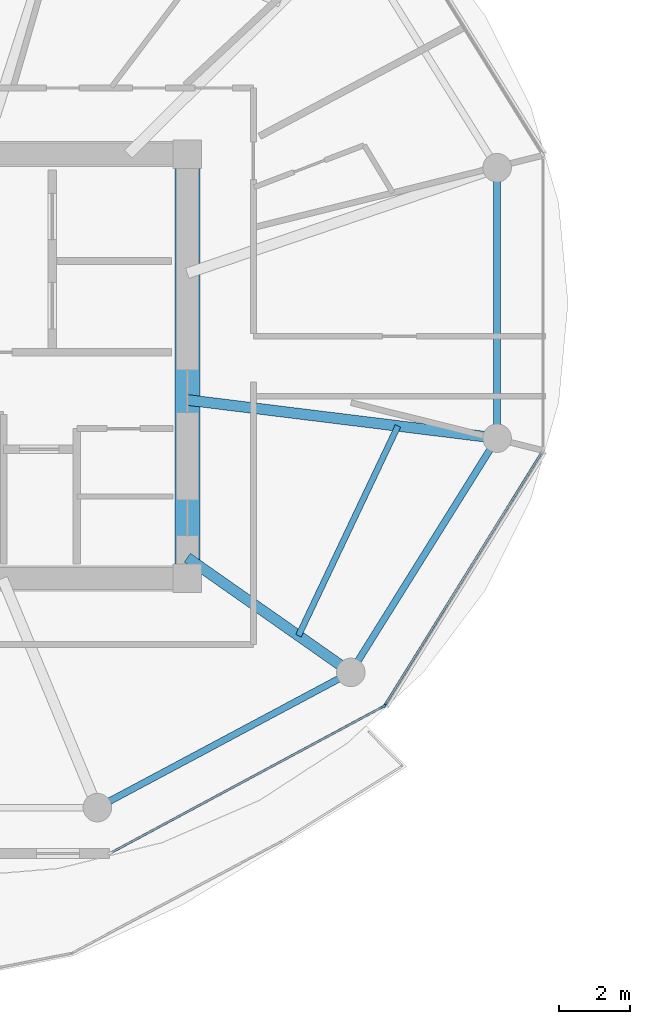
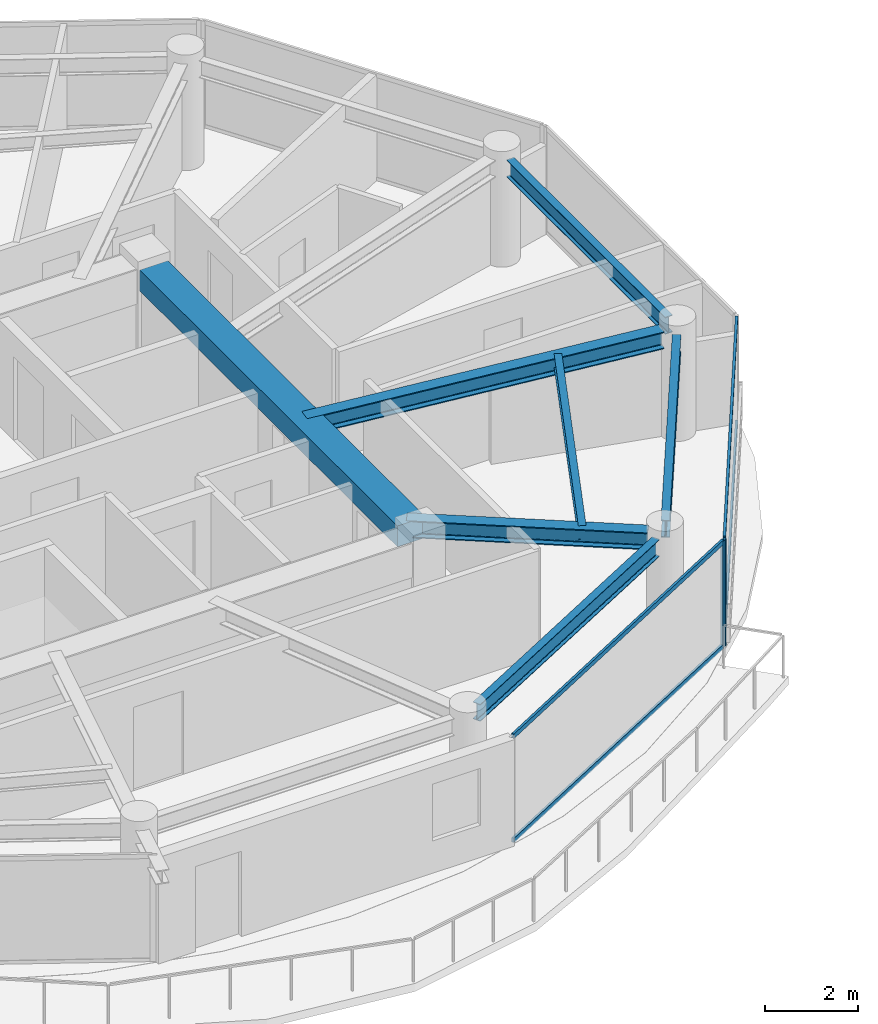
# One storey, part 3 of 22: 7 beams, 6 members, 2 elements without a shape of their own.
"""IFC4 building model written with IfcOpenShell, lengths in metres."""

import ifcopenshell
import ifcopenshell.guid

model = None  # the IFC model being written
_history = None  # IfcOwnerHistory: only IFC2X3 demands one
_inside = {}  # id of a spatial element -> (the spatial element, [elements in it])
_under = {}  # id of a project, library or spatial element -> (it, [spatial elements below it])
_declared = {}  # id of a project -> (the project, [libraries it declares])
_typed = {}  # id of a type object -> (the type object, [elements of that type])
_made_of = {}  # id of a material, layer set ... -> (it, [elements and type objects made of it])


def new_model(schema):
    """Start an empty IFC model of exactly this schema.

    Asked for "IFC4X3", IfcOpenShell would pick the latest addendum, in which some entities
    have other attributes; the version numbers below select the first issue.
    IFC2X3 requires an IfcOwnerHistory on every rooted entity: one is made here for all.
    """
    global model, _history
    if schema == "IFC4X3":
        model = ifcopenshell.file(schema_version=(4, 3, 0, 0))
    else:
        model = ifcopenshell.file(schema=schema)
    _inside.clear()
    _under.clear()
    _declared.clear()
    _typed.clear()
    _made_of.clear()
    _history = None
    if model.schema == "IFC2X3":
        org = make("IfcOrganization", Name="unknown")
        user = make(
            "IfcPersonAndOrganization",
            ThePerson=make("IfcPerson", FamilyName="unknown"),
            TheOrganization=org,
        )
        app = make(
            "IfcApplication",
            ApplicationDeveloper=org,
            Version="unknown",
            ApplicationFullName="unknown",
            ApplicationIdentifier="unknown",
        )
        _history = make(
            "IfcOwnerHistory",
            OwningUser=user,
            OwningApplication=app,
            ChangeAction="ADDED",
            CreationDate=0,
        )
    return model


def make(cls, **values):
    """One entity of the class cls with the attributes given. An attribute that is None is left unset."""
    return model.create_entity(
        cls, **{name: value for name, value in values.items() if value is not None}
    )


def rooted(cls, **values):
    """An entity with a GlobalId (a new one), such as an element, a storey or a relation."""
    return make(cls, GlobalId=ifcopenshell.guid.new(), OwnerHistory=_history, **values)


def si_unit(unit_type, name, prefix=None):
    """IfcSIUnit, for example si_unit("LENGTHUNIT", "METRE", prefix="MILLI")."""
    return make("IfcSIUnit", UnitType=unit_type, Prefix=prefix, Name=name)


def assignment(units):
    """IfcUnitAssignment: the units of a project."""
    return None if units is None else make("IfcUnitAssignment", Units=units)


def point(xyz):
    """IfcCartesianPoint."""
    return None if xyz is None else make("IfcCartesianPoint", Coordinates=xyz)


def direction(xyz):
    """IfcDirection."""
    return None if xyz is None else make("IfcDirection", DirectionRatios=xyz)


def frame(location, z_axis=None, x_axis=None):
    """IfcAxis2Placement3D, a coordinate frame: its origin and axes. An axis left out is left unset."""
    return make(
        "IfcAxis2Placement3D",
        Location=point(location),
        Axis=direction(z_axis),
        RefDirection=direction(x_axis),
    )


def frame_2d(location, x_axis=None):
    """IfcAxis2Placement2D, a coordinate frame in the plane: its origin and x axis."""
    return make(
        "IfcAxis2Placement2D", Location=point(location), RefDirection=direction(x_axis)
    )


def origin():
    """The frame at (0, 0, 0) with its axes left unset."""
    return frame((0.0, 0.0, 0.0))


def origin_2d():
    """The frame at (0, 0) in the plane with its x axis left unset."""
    return frame_2d((0.0, 0.0))


def place(relative_to, where):
    """IfcLocalPlacement: puts the frame where relative to a parent placement (None: the world)."""
    return make(
        "IfcLocalPlacement", PlacementRelTo=relative_to, RelativePlacement=where
    )


def context(
    kind, dimensions, precision=None, world=None, true_north=None, identifier=None
):
    """IfcGeometricRepresentationContext, for example the 3D "Model" context."""
    return make(
        "IfcGeometricRepresentationContext",
        ContextIdentifier=identifier,
        ContextType=kind,
        CoordinateSpaceDimension=dimensions,
        Precision=precision,
        WorldCoordinateSystem=world,
        TrueNorth=true_north,
    )


def subcontext(parent, identifier, kind, view, scale=None):
    """IfcGeometricRepresentationSubContext, for example "Body" below "Model"."""
    return make(
        "IfcGeometricRepresentationSubContext",
        ContextIdentifier=identifier,
        ContextType=kind,
        ParentContext=parent,
        TargetScale=scale,
        TargetView=view,
    )


def project(units=None, contexts=None):
    """IfcProject with its units and contexts."""
    return rooted(
        "IfcProject",
        Name="project",
        RepresentationContexts=contexts,
        UnitsInContext=assignment(units),
    )


def spatial(cls, under=None, at=None, **own):
    """A site, building, storey or space (cls), placed at a placement, below another one or the project."""
    s = rooted(cls, ObjectPlacement=at, **own)
    if under is not None:
        _under.setdefault(under.id(), (under, []))[1].append(s)
    return s


def profile(cls, at=None, kind="AREA", **sizes):
    """A parametric profile (cls). Its sizes go by their IFC names, for example OverallWidth=200.0."""
    return make(cls, ProfileType=kind, Position=at, **sizes)


def rectangle(**sizes):
    """IfcRectangleProfileDef."""
    return profile("IfcRectangleProfileDef", **sizes)


def i_section(**sizes):
    """IfcIShapeProfileDef."""
    return profile("IfcIShapeProfileDef", **sizes)


def extrude(swept, where, along, depth):
    """IfcExtrudedAreaSolid: the profile swept, set in the frame where, extruded along a direction by depth."""
    return make(
        "IfcExtrudedAreaSolid",
        SweptArea=swept,
        Position=where,
        ExtrudedDirection=direction(along),
        Depth=depth,
    )


def shape(context_of_items, identifier, shape_type, items):
    """IfcShapeRepresentation: the items that make up one representation, for example the "Body"."""
    return make(
        "IfcShapeRepresentation",
        ContextOfItems=context_of_items,
        RepresentationIdentifier=identifier,
        RepresentationType=shape_type,
        Items=items,
    )


def source(mapping_origin, context_of_items, identifier, shape_type, items):
    """IfcRepresentationMap: a shape defined once, which mapped items show again and again."""
    return make(
        "IfcRepresentationMap",
        MappingOrigin=mapping_origin,
        MappedRepresentation=shape(context_of_items, identifier, shape_type, items),
    )


def transform(
    local_origin,
    x_axis=None,
    y_axis=None,
    z_axis=None,
    scale=None,
    scale2=None,
    scale3=None,
    uniform=True,
):
    """IfcCartesianTransformationOperator3D, or its non-uniform kind. x_axis, y_axis, z_axis: its Axis1, 2, 3."""
    if uniform:
        return make(
            "IfcCartesianTransformationOperator3D",
            Axis1=direction(x_axis),
            Axis2=direction(y_axis),
            LocalOrigin=point(local_origin),
            Scale=scale,
            Axis3=direction(z_axis),
        )
    return make(
        "IfcCartesianTransformationOperator3DnonUniform",
        Axis1=direction(x_axis),
        Axis2=direction(y_axis),
        LocalOrigin=point(local_origin),
        Scale=scale,
        Axis3=direction(z_axis),
        Scale2=scale2,
        Scale3=scale3,
    )


def mapped(mapping_source, mapping_target):
    """IfcMappedItem: shows the shape of a source again, moved by a transform."""
    return make(
        "IfcMappedItem", MappingSource=mapping_source, MappingTarget=mapping_target
    )


def material(Name=None, Category=None):
    """IfcMaterial."""
    return make("IfcMaterial", Name=Name, Category=Category)


def layer(
    of_material, thickness, ventilated=None, Name=None, Category=None, Priority=None
):
    """IfcMaterialLayer: one layer of a wall or slab, of a material (None: an air gap)."""
    return make(
        "IfcMaterialLayer",
        Material=of_material,
        LayerThickness=thickness,
        IsVentilated=ventilated,
        Name=Name,
        Category=Category,
        Priority=Priority,
    )


def layer_set(layers, Name=None):
    """IfcMaterialLayerSet."""
    return make("IfcMaterialLayerSet", MaterialLayers=layers, LayerSetName=Name)


def material_profile(
    of_material, cross_section, Name=None, Category=None, Priority=None
):
    """IfcMaterialProfile: a cross section and its material."""
    return make(
        "IfcMaterialProfile",
        Name=Name,
        Material=of_material,
        Profile=cross_section,
        Priority=Priority,
        Category=Category,
    )


def profile_set(profiles, Name=None, composite=None):
    """IfcMaterialProfileSet."""
    return make(
        "IfcMaterialProfileSet",
        Name=Name,
        MaterialProfiles=profiles,
        CompositeProfile=composite,
    )


def made_of(thing, what):
    """Note that an element or type object is made of a material, layer set ...; save() writes the relation."""
    if what is not None:
        _made_of.setdefault(what.id(), (what, []))[1].append(thing)
    return thing


def type_object(cls, material=None, **own):
    """A type object (cls), such as IfcWallType, which elements share."""
    return made_of(rooted(cls, **own), material)


def type_shapes(of_type, sources):
    """Give a type object the sources (RepresentationMaps) that its elements show as mapped items."""
    of_type.RepresentationMaps = sources


def element(
    cls,
    number,
    at=None,
    inside=None,
    cuts=None,
    type_object=None,
    material=None,
    context=None,
    identifier="Body",
    shape_type=None,
    held_by="IfcProductDefinitionShape",
    body=None,
    shapes=None,
    **own,
):
    """One element of the class cls, such as IfcWall. Its Tag is "e" and its number.

    at: its placement. inside: the storey or other place that contains it. cuts: it is an
    opening in that element (IfcRelVoidsElement). A single representation is given by context,
    identifier, shape_type and body (its items); several are given by shapes. held_by: the class
    of the entity that holds the representations. save() writes the other relations.
    """
    e = rooted(cls, Tag="e%d" % number, ObjectPlacement=at, **own)
    if body is not None:
        shapes = [shape(context, identifier, shape_type, body)]
    if shapes is not None:
        e.Representation = make(held_by, Representations=shapes)
    if inside is not None:
        _inside.setdefault(inside.id(), (inside, []))[1].append(e)
    if cuts is not None:
        rooted(
            "IfcRelVoidsElement", RelatingBuildingElement=cuts, RelatedOpeningElement=e
        )
    if type_object is not None:
        _typed.setdefault(type_object.id(), (type_object, []))[1].append(e)
    return made_of(e, material)


def aggregate(whole, parts):
    """IfcRelAggregates: a whole, such as a stair, and the parts it consists of."""
    return rooted("IfcRelAggregates", RelatingObject=whole, RelatedObjects=parts)


def save(model, path):
    """Write the relations noted so far, then the file.

    IfcRelAggregates (storeys below a building ...), IfcRelContainedInSpatialStructure (elements
    in a storey), IfcRelDefinesByType, IfcRelAssociatesMaterial and IfcRelDeclares: one each for
    every whole, place, type object, material and project.
    """
    for whole, parts in _under.values():
        aggregate(whole, parts)
    for where, things in _inside.values():
        rooted(
            "IfcRelContainedInSpatialStructure",
            RelatedElements=things,
            RelatingStructure=where,
        )
    for kind, things in _typed.values():
        rooted("IfcRelDefinesByType", RelatedObjects=things, RelatingType=kind)
    for what, things in _made_of.values():
        rooted("IfcRelAssociatesMaterial", RelatedObjects=things, RelatingMaterial=what)
    for by, libraries in _declared.values():
        rooted("IfcRelDeclares", RelatingContext=by, RelatedDefinitions=libraries)
    model.write(path)


model = new_model("IFC4")

# Units and contexts
model_context = context("Model", 3, precision=1e-05, world=origin(), true_north=direction((0.0, 1.0)))
body_context = subcontext(model_context, "Body", "Model", "MODEL_VIEW")
ifc_project = project(units=[si_unit("LENGTHUNIT", "METRE"), si_unit("AREAUNIT", "SQUARE_METRE"), si_unit("VOLUMEUNIT", "CUBIC_METRE"), si_unit("PLANEANGLEUNIT", "RADIAN"), si_unit("MASSUNIT", "GRAM", prefix="KILO")], contexts=[model_context])

# Site, building, storey
site_placement = place(None, origin())
site = spatial("IfcSite", under=ifc_project, at=site_placement, CompositionType="ELEMENT")
building_placement = place(site_placement, origin())
building = spatial("IfcBuilding", under=site, at=building_placement, Name="Norrkilde Senior Care Towers", CompositionType="ELEMENT")
storey_placement = place(building_placement, frame((0.0, 0.0, 167.85009765625)))
storey = spatial("IfcBuildingStorey", under=building, at=storey_placement, Name="L52", CompositionType="ELEMENT", Elevation=167.85009765625)

# Beams
ifc_material_1 = material(Name="Concrete C60/75", Category="concrete")
ifc_material_profile_1 = material_profile(ifc_material_1, rectangle(XDim=0.699951171875, YDim=0.550048828125, at=origin_2d()), Name="RC BM 700x550")
ifc_profile_set_1 = profile_set([ifc_material_profile_1], Name="Concrete C60/75")
beam_type_1 = type_object("IfcBeamType", Name="Core Portal Coupling Beam 700x550", PredefinedType="USERDEFINED", material=ifc_profile_set_1)
shared_shape_1 = source(origin(), body_context, "Body", "SweptSolid", [
    extrude(rectangle(XDim=0.699951171875, YDim=0.550048828125, at=origin_2d()), origin(), (0.0, 0.0, 1.0), 11.14013671875),
])
type_shapes(beam_type_1, [shared_shape_1])
beam_1_placement = place(storey_placement, frame((-20.35009765625, -5.570068359375, 2.534912109375), z_axis=(0.0, 1.0, 0.0), x_axis=(-1.0, 0.0, 0.0)))
element("IfcBeam", 1, at=beam_1_placement, inside=storey, type_object=beam_type_1, Name="L52 Core W E Coupling Girder", ObjectType="GIRDER", PredefinedType="USERDEFINED", context=body_context, shape_type="MappedRepresentation", body=[
    mapped(shared_shape_1, transform((0.0, 0.0, 0.0), x_axis=(1.0, 0.0, 0.0), y_axis=(0.0, 1.0, 0.0), z_axis=(0.0, 0.0, 1.0), scale=1.0)),
])
ifc_material_2 = material(Name="Steel S355", Category="steel")
ifc_material_profile_2 = material_profile(ifc_material_2, i_section(OverallWidth=0.18994140625, OverallDepth=0.449951171875, WebThickness=0.009521484375, FlangeThickness=0.0146484375, FilletRadius=0.02099609375, at=origin_2d()), Name="IPE 450")
ifc_profile_set_2 = profile_set([ifc_material_profile_2], Name="Steel S355")
beam_type_2 = type_object("IfcBeamType", Name="Perimeter Ring Spandrel Z3 IPE450", PredefinedType="SPANDREL", material=ifc_profile_set_2)
shared_shape_2 = source(origin(), body_context, "Body", "SweptSolid", [
    extrude(i_section(OverallWidth=0.18994140625, OverallDepth=0.449951171875, WebThickness=0.009521484375, FlangeThickness=0.0146484375, FilletRadius=0.02099609375, at=origin_2d()), origin(), (0.0, 0.0, 1.0), 6.86328125),
])
beam_2_placement = place(storey_placement, frame((-11.6650390625, -1.65625, 2.5849609375), z_axis=(0.0, 1.0, 0.0), x_axis=(-1.0, 0.0, 0.0)))
element("IfcBeam", 2, at=beam_2_placement, inside=storey, type_object=beam_type_2, Name="L52 Drum W Perimeter Spandrel 12", PredefinedType="SPANDREL", context=body_context, shape_type="MappedRepresentation", body=[
    mapped(shared_shape_2, transform((0.0, 0.0, 0.0), x_axis=(1.0, 0.0, 0.0), y_axis=(0.0, 1.0, 0.0), z_axis=(0.0, 0.0, 1.0), scale=1.0)),
])
shared_shape_3 = source(origin(), body_context, "Body", "SweptSolid", [
    extrude(i_section(OverallWidth=0.18994140625, OverallDepth=0.449951171875, WebThickness=0.009521484375, FlangeThickness=0.0146484375, FilletRadius=0.02099609375, at=origin_2d()), origin(), (0.0, 0.0, 1.0), 7.023193359375),
])
beam_3_placement = place(storey_placement, frame((-15.57666015625, -8.2783203125, 2.5849609375), z_axis=(0.529805197269, 0.848119362441, 0.0), x_axis=(-0.848119362441, 0.529805197269, 0.0)))
element("IfcBeam", 3, at=beam_3_placement, inside=storey, type_object=beam_type_2, Name="L52 Drum W Perimeter Spandrel 11", PredefinedType="SPANDREL", context=body_context, shape_type="MappedRepresentation", body=[
    mapped(shared_shape_3, transform((0.0, 0.0, 0.0), x_axis=(1.0, 0.0, 0.0), y_axis=(0.0, 1.0, 0.0), z_axis=(0.0, 0.0, 1.0), scale=1.0)),
])
shared_shape_4 = source(origin(), body_context, "Body", "SweptSolid", [
    extrude(i_section(OverallWidth=0.18994140625, OverallDepth=0.449951171875, WebThickness=0.009521484375, FlangeThickness=0.0146484375, FilletRadius=0.02099609375, at=origin_2d()), origin(), (0.0, 0.0, 1.0), 7.333984375),
])
type_shapes(beam_type_2, [shared_shape_2, shared_shape_3, shared_shape_4])
beam_4_placement = place(storey_placement, frame((-22.55517578125, -12.2060546875, 2.5849609375), z_axis=(0.882234038987, 0.470811109101, 0.0), x_axis=(-0.470811109101, 0.882234038987, 0.0)))
element("IfcBeam", 4, at=beam_4_placement, inside=storey, type_object=beam_type_2, Name="L52 Drum W Perimeter Spandrel 10", PredefinedType="SPANDREL", context=body_context, shape_type="MappedRepresentation", body=[
    mapped(shared_shape_4, transform((0.0, 0.0, 0.0), x_axis=(1.0, 0.0, 0.0), y_axis=(0.0, 1.0, 0.0), z_axis=(0.0, 0.0, 1.0), scale=1.0)),
])
ifc_material_profile_3 = material_profile(ifc_material_2, i_section(OverallWidth=0.300048828125, OverallDepth=0.449951171875, WebThickness=0.013916015625, FlangeThickness=0.02587890625, FilletRadius=0.027099609375, at=origin_2d()), Name="HEB 450")
ifc_profile_set_3 = profile_set([ifc_material_profile_3], Name="Steel S355")
beam_type_3 = type_object("IfcBeamType", Name="Radial Floor Beam Z3 HEB450", PredefinedType="BEAM", material=ifc_profile_set_3)
shared_shape_5 = source(origin(), body_context, "Body", "SweptSolid", [
    extrude(i_section(OverallWidth=0.300048828125, OverallDepth=0.449951171875, WebThickness=0.013916015625, FlangeThickness=0.02587890625, FilletRadius=0.027099609375, at=origin_2d()), origin(), (0.0, 0.0, 1.0), 5.23828125),
])
beam_5_placement = place(storey_placement, frame((-20.35009765625, -5.3681640625, 2.5849609375), z_axis=(0.818592061291, -0.574375345215, 0.0), x_axis=(0.574375345215, 0.818592061291, 0.0)))
element("IfcBeam", 5, at=beam_5_placement, inside=storey, type_object=beam_type_3, Name="L52 Drum W Radial Floor Beam 11", PredefinedType="BEAM", context=body_context, shape_type="MappedRepresentation", body=[
    mapped(shared_shape_5, transform((0.0, 0.0, 0.0), x_axis=(1.0, 0.0, 0.0), y_axis=(0.0, 1.0, 0.0), z_axis=(0.0, 0.0, 1.0), scale=1.0)),
])
shared_shape_6 = source(origin(), body_context, "Body", "SweptSolid", [
    extrude(i_section(OverallWidth=0.300048828125, OverallDepth=0.449951171875, WebThickness=0.013916015625, FlangeThickness=0.02587890625, FilletRadius=0.027099609375, at=origin_2d()), origin(), (0.0, 0.0, 1.0), 8.390869140625),
])
type_shapes(beam_type_3, [shared_shape_5, shared_shape_6])
beam_6_placement = place(storey_placement, frame((-20.35009765625, -0.9443359375, 2.5849609375), z_axis=(0.99246916403, -0.122494728249, 0.0), x_axis=(0.122494728249, 0.99246916403, 0.0)))
element("IfcBeam", 6, at=beam_6_placement, inside=storey, type_object=beam_type_3, Name="L52 Drum W Radial Floor Beam 12", PredefinedType="BEAM", context=body_context, shape_type="MappedRepresentation", body=[
    mapped(shared_shape_6, transform((0.0, 0.0, 0.0), x_axis=(1.0, 0.0, 0.0), y_axis=(0.0, 1.0, 0.0), z_axis=(0.0, 0.0, 1.0), scale=1.0)),
])
ifc_material_profile_4 = material_profile(ifc_material_2, i_section(OverallWidth=0.169921875, OverallDepth=0.360107421875, WebThickness=0.008056640625, FlangeThickness=0.0126953125, FilletRadius=0.01806640625, at=origin_2d()), Name="IPE 360")
ifc_profile_set_4 = profile_set([ifc_material_profile_4], Name="Steel S355")
beam_type_4 = type_object("IfcBeamType", Name="Secondary Floor Joist IPE360", PredefinedType="JOIST", material=ifc_profile_set_4)
shared_shape_7 = source(origin(), body_context, "Body", "SweptSolid", [
    extrude(i_section(OverallWidth=0.169921875, OverallDepth=0.360107421875, WebThickness=0.008056640625, FlangeThickness=0.0126953125, FilletRadius=0.01806640625, at=origin_2d()), origin(), (0.0, 0.0, 1.0), 6.50927734375),
])
type_shapes(beam_type_4, [shared_shape_7])
beam_7_placement = place(storey_placement, frame((-17.23388671875, -7.5546875, 2.6298828125), z_axis=(0.428544169129, 0.90352083269, 0.0), x_axis=(-0.90352083269, 0.428544169129, 0.0)))
element("IfcBeam", 7, at=beam_7_placement, inside=storey, type_object=beam_type_4, Name="L52 Drum W Secondary Floor Joist 4", PredefinedType="JOIST", context=body_context, shape_type="MappedRepresentation", body=[
    mapped(shared_shape_7, transform((0.0, 0.0, 0.0), x_axis=(1.0, 0.0, 0.0), y_axis=(0.0, 1.0, 0.0), z_axis=(0.0, 0.0, 1.0), scale=1.0)),
])

# Curtain wall, members
ifc_material_3 = material(Name="Triple Low-E Insulated Glazing", Category="glass")
ifc_layer = layer(ifc_material_3, 0.18994140625)
ifc_layer_set = layer_set([ifc_layer], Name="Triple Low-E Insulated Glazing")
curtain_wall_type = type_object("IfcCurtainWallType", Name="CW4 Zone 3 Senior Residence Curtain Wall", PredefinedType="NOTDEFINED", material=ifc_layer_set)
curtain_wall_1_placement = place(storey_placement, origin())
curtain_wall_1 = element("IfcCurtainWall", 8, at=curtain_wall_1_placement, inside=storey, type_object=curtain_wall_type, Name="L52 Drum W Curtain Wall 10", PredefinedType="NOTDEFINED")
ifc_material_4 = material(Name="Anodised Aluminium", Category="aluminium")
ifc_material_profile_5 = material_profile(ifc_material_4, rectangle(XDim=0.06005859375, YDim=0.1201171875, at=origin_2d()), Name="ALU TRAN 60x120")
ifc_profile_set_5 = profile_set([ifc_material_profile_5], Name="Anodised Aluminium")
member_type_1 = type_object("IfcMemberType", Name="Curtain Wall Transom Typical 60x120", PredefinedType="USERDEFINED", material=ifc_profile_set_5)
shared_shape_8 = source(origin(), body_context, "Body", "SweptSolid", [
    extrude(rectangle(XDim=0.06005859375, YDim=0.1201171875, at=origin_2d()), origin(), (0.0, 0.0, 1.0), 8.301513671875),
])
member_1_placement = place(storey_placement, frame((-10.414794921875, -2.415771484375, 0.02978515625), z_axis=(-0.527368718394, -0.849636531029, 0.0), x_axis=(0.849636531029, -0.527368718394, 0.0)))
member_1 = element("IfcMember", 9, at=member_1_placement, type_object=member_type_1, Name="CW-4 transom 1.1", ObjectType="TRANSOM", PredefinedType="USERDEFINED", context=body_context, shape_type="MappedRepresentation", body=[
    mapped(shared_shape_8, transform((0.0, 0.0, 0.0), x_axis=(1.0, 0.0, 0.0), y_axis=(0.0, 1.0, 0.0), z_axis=(0.0, 0.0, 1.0), scale=1.0)),
])
member_2_placement = place(storey_placement, frame((-10.414794921875, -2.415771484375, 2.77978515625), z_axis=(-0.527368718394, -0.849636531029, 0.0), x_axis=(0.849636531029, -0.527368718394, 0.0)))
member_2 = element("IfcMember", 10, at=member_2_placement, type_object=member_type_1, Name="CW-4 transom 1.2", ObjectType="TRANSOM", PredefinedType="USERDEFINED", context=body_context, shape_type="MappedRepresentation", body=[
    mapped(shared_shape_8, transform((0.0, 0.0, 0.0), x_axis=(1.0, 0.0, 0.0), y_axis=(0.0, 1.0, 0.0), z_axis=(0.0, 0.0, 1.0), scale=1.0)),
])

curtain_wall_2_placement = place(storey_placement, origin())
curtain_wall_2 = element("IfcCurtainWall", 11, at=curtain_wall_2_placement, inside=storey, type_object=curtain_wall_type, Name="L52 Drum W Curtain Wall 09", PredefinedType="NOTDEFINED")
shared_shape_9 = source(origin(), body_context, "Body", "SweptSolid", [
    extrude(rectangle(XDim=0.06005859375, YDim=0.1201171875, at=origin_2d()), origin(), (0.0, 0.0, 1.0), 8.61181640625),
])
type_shapes(member_type_1, [shared_shape_8, shared_shape_9])
member_3_placement = place(storey_placement, frame((-14.88427734375, -9.554931640625, 0.02978515625), z_axis=(-0.880993991641, -0.473127452906, 0.0), x_axis=(0.473127452906, -0.880993991641, 0.0)))
member_3 = element("IfcMember", 12, at=member_3_placement, type_object=member_type_1, Name="CW-4 transom 1.1", ObjectType="TRANSOM", PredefinedType="USERDEFINED", context=body_context, shape_type="MappedRepresentation", body=[
    mapped(shared_shape_9, transform((0.0, 0.0, 0.0), x_axis=(1.0, 0.0, 0.0), y_axis=(0.0, 1.0, 0.0), z_axis=(0.0, 0.0, 1.0), scale=1.0)),
])
member_4_placement = place(storey_placement, frame((-14.88427734375, -9.554931640625, 2.77978515625), z_axis=(-0.880993991641, -0.473127452906, 0.0), x_axis=(0.473127452906, -0.880993991641, 0.0)))
member_4 = element("IfcMember", 13, at=member_4_placement, type_object=member_type_1, Name="CW-4 transom 1.2", ObjectType="TRANSOM", PredefinedType="USERDEFINED", context=body_context, shape_type="MappedRepresentation", body=[
    mapped(shared_shape_9, transform((0.0, 0.0, 0.0), x_axis=(1.0, 0.0, 0.0), y_axis=(0.0, 1.0, 0.0), z_axis=(0.0, 0.0, 1.0), scale=1.0)),
])
ifc_material_profile_6 = material_profile(ifc_material_4, rectangle(XDim=0.06494140625, YDim=0.14990234375, at=origin_2d()), Name="ALU MULL 65x150")
ifc_profile_set_6 = profile_set([ifc_material_profile_6], Name="Anodised Aluminium")
member_type_2 = type_object("IfcMemberType", Name="Curtain Wall Mullion Z3-Z4 65x150", PredefinedType="MULLION", material=ifc_profile_set_6)
shared_shape_10 = source(origin(), body_context, "Body", "SweptSolid", [
    extrude(rectangle(XDim=0.06494140625, YDim=0.14990234375, at=origin_2d()), origin(), (0.0, 0.0, 1.0), 2.809814453125),
])
type_shapes(member_type_2, [shared_shape_10])
member_5_placement = place(storey_placement, frame((-14.85546875, -9.53955078125, 0.0), z_axis=(0.0, 0.0, 1.0), x_axis=(0.47311715104, -0.880999524059, 0.0)))
member_5 = element("IfcMember", 14, at=member_5_placement, type_object=member_type_2, Name="CW-4 mullion 1", PredefinedType="MULLION", context=body_context, shape_type="MappedRepresentation", body=[
    mapped(shared_shape_10, transform((0.0, 0.0, 0.0), x_axis=(1.0, 0.0, 0.0), y_axis=(0.0, 1.0, 0.0), z_axis=(0.0, 0.0, 1.0), scale=1.0)),
])
aggregate(curtain_wall_2, [member_5, member_3, member_4])

# Member
member_6_placement = place(storey_placement, frame((-14.809814453125, -9.49658203125, 0.0), z_axis=(0.0, 0.0, 1.0), x_axis=(0.84963405474, -0.52737270789, 0.0)))
member_6 = element("IfcMember", 15, at=member_6_placement, type_object=member_type_2, Name="CW-4 mullion 2", PredefinedType="MULLION", context=body_context, shape_type="MappedRepresentation", body=[
    mapped(shared_shape_10, transform((0.0, 0.0, 0.0), x_axis=(1.0, 0.0, 0.0), y_axis=(0.0, 1.0, 0.0), z_axis=(0.0, 0.0, 1.0), scale=1.0)),
])

aggregate(curtain_wall_1, [member_6, member_1, member_2])

save(model, "model.ifc")
